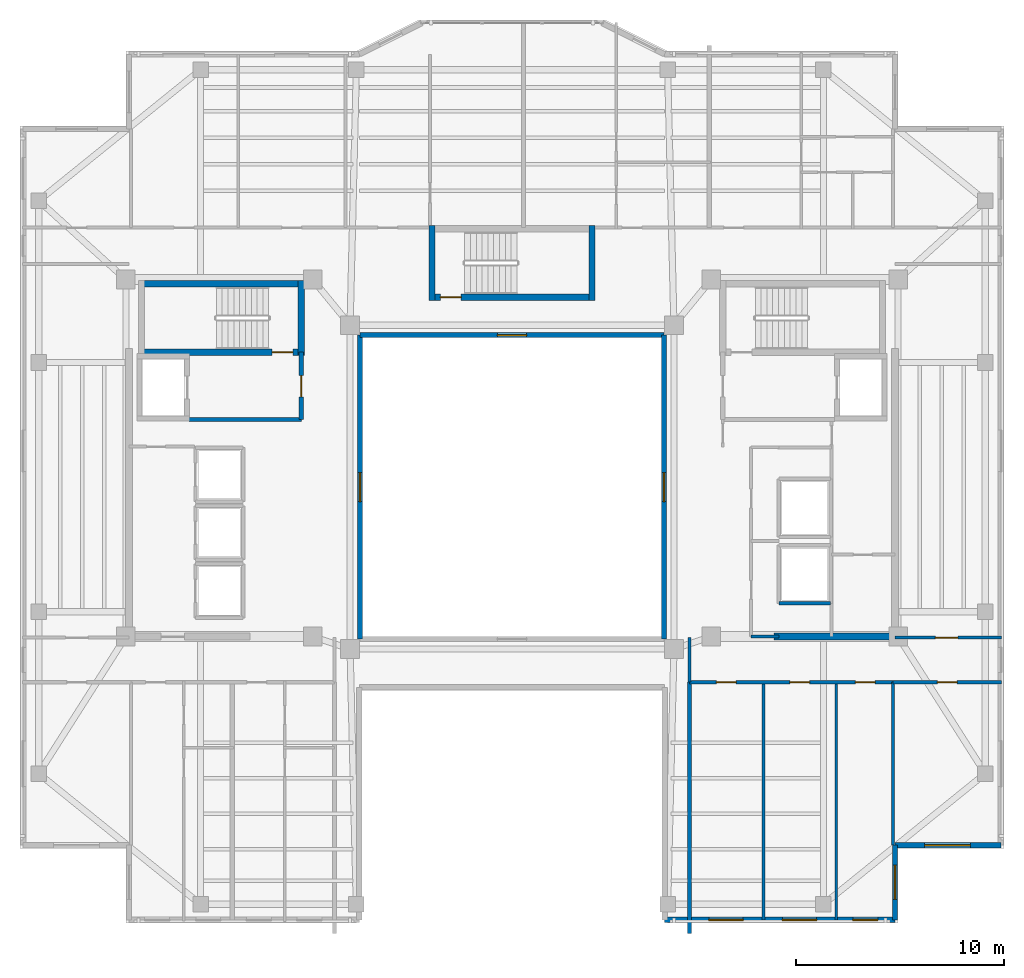
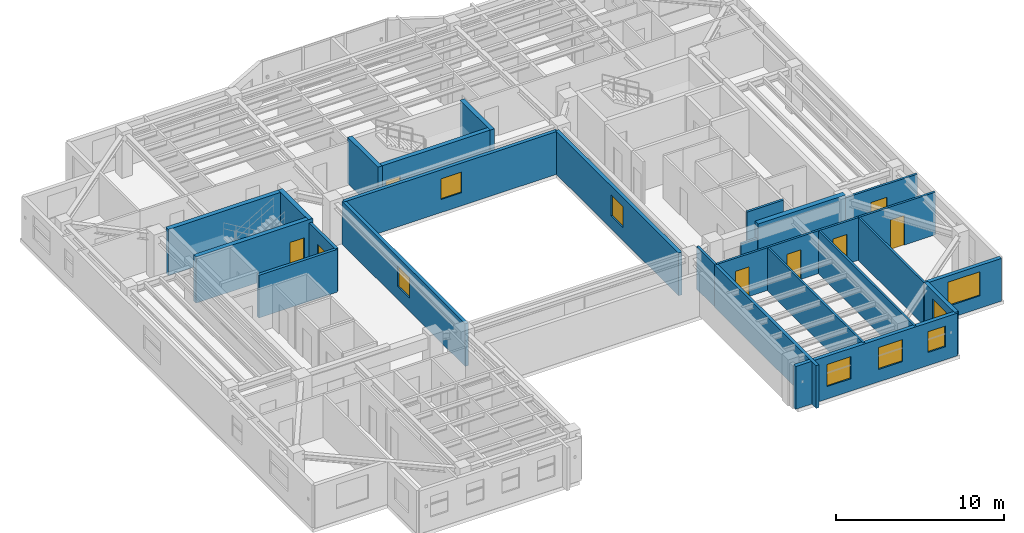
# One storey, part 5 of 11: 25 walls, 8 doors, 8 windows, 16 openings.
"""IFC4 building model written with IfcOpenShell, lengths in metres."""

from ifc_helpers import new_model, si_unit, direction, frame, frame_2d, origin, place, context, subcontext, project, spatial, rectangle, extrude, material, layer, layer_set, type_object, element, fill, save


model = new_model("IFC4")

# Units and contexts
model_context = context("Model", 3, precision=1e-05, world=origin(), true_north=direction((0.0, 1.0)))
body_context = subcontext(model_context, "Body", "Model", "MODEL_VIEW")
ifc_project = project(units=[si_unit("LENGTHUNIT", "METRE"), si_unit("AREAUNIT", "SQUARE_METRE"), si_unit("VOLUMEUNIT", "CUBIC_METRE"), si_unit("PLANEANGLEUNIT", "RADIAN"), si_unit("MASSUNIT", "GRAM", prefix="KILO")], contexts=[model_context])

# Site, building, storey
site_placement = place(None, origin())
site = spatial("IfcSite", under=ifc_project, at=site_placement, CompositionType="ELEMENT")
building_placement = place(site_placement, origin())
building = spatial("IfcBuilding", under=site, at=building_placement, Name="Tarnavaz Court Tower", CompositionType="ELEMENT")
storey_placement = place(building_placement, frame((0.0, 0.0, 217.050048828125)))
storey = spatial("IfcBuildingStorey", under=building, at=storey_placement, Name="L59", CompositionType="ELEMENT", Elevation=217.050048828125)

# Wall
ifc_material_1 = material(Name="Concrete C50/60", Category="concrete")
ifc_layer_1 = layer(ifc_material_1, 0.300048828125)
ifc_layer_set_1 = layer_set([ifc_layer_1], Name="Concrete C50/60")
wall_type_1 = type_object("IfcWallType", Name="WL-CORE-300-C50", PredefinedType="SHEAR", material=ifc_layer_set_1)
wall_1_placement = place(storey_placement, frame((-18.0, 9.7900390625, 0.0), z_axis=(0.0, 0.0, 1.0), x_axis=(1.0, 0.0, 0.0)))
element("IfcWall", 1, at=wall_1_placement, inside=storey, type_object=wall_type_1, Name="L59 West Stair Core Wall 001", PredefinedType="SHEAR", context=body_context, shape_type="SweptSolid", body=[
    extrude(rectangle(XDim=8.0, YDim=0.300048828125, at=frame_2d((4.0, 0.0))), origin(), (0.0, 0.0, 1.0), 3.349853515625),
])

# Wall, opening, door
wall_2_placement = place(storey_placement, frame((-18.0, 6.5, 0.0), z_axis=(0.0, 0.0, 1.0), x_axis=(1.0, 0.0, 0.0)))
wall_2 = element("IfcWall", 2, at=wall_2_placement, inside=storey, type_object=wall_type_1, Name="L59 West Stair Core Wall 002", PredefinedType="SHEAR", context=body_context, shape_type="SweptSolid", body=[
    extrude(rectangle(XDim=8.0, YDim=0.300048828125, at=frame_2d((4.0, 0.0))), origin(), (0.0, 0.0, 1.0), 3.349853515625),
])
opening_1_placement = place(wall_2_placement, frame((6.449951171875, 0.0, 0.0)))
opening_1 = element("IfcOpeningElement", 3, at=opening_1_placement, cuts=wall_2, Name="Opening D01", PredefinedType="OPENING", context=body_context, shape_type="SweptSolid", body=[
    extrude(rectangle(XDim=1.0, YDim=2.14990234375, at=frame_2d((0.5, 1.074951171875))), frame((0.0, 0.159912109375, 0.0), z_axis=(0.0, -1.0, 0.0), x_axis=(1.0, 0.0, 0.0)), (0.0, 0.0, 1.0), 0.320068359375),
])
ifc_material_2 = material(Name="Fire-Rated Hardwood Timber Core", Category="wood")
door_type_1 = type_object("IfcDoorType", Name="DR-FD90-1000", OperationType="NOTDEFINED", PredefinedType="DOOR", material=ifc_material_2)
door_1_placement = place(opening_1_placement, origin())
door_1 = element("IfcDoor", 4, at=door_1_placement, inside=storey, type_object=door_type_1, Name="L59 Stair ST-W1 Exit Door", OperationType="SINGLE_SWING_LEFT", OverallHeight=2.14990234375, OverallWidth=1.0, PredefinedType="DOOR", context=body_context, shape_type="SweptSolid", body=[
    extrude(rectangle(XDim=1.0, YDim=2.14990234375, at=frame_2d((0.5, 1.074951171875))), frame((0.0, 0.02490234375, 0.0), z_axis=(0.0, -1.0, 0.0), x_axis=(1.0, 0.0, 0.0)), (0.0, 0.0, 1.0), 0.050048828125),
])
fill(opening_1, door_1)

# Wall
wall_3_placement = place(storey_placement, frame((-10.14990234375, 6.35009765625, 0.0), z_axis=(0.0, 0.0, 1.0), x_axis=(0.0, 1.0, 0.0)))
element("IfcWall", 5, at=wall_3_placement, inside=storey, type_object=wall_type_1, Name="L59 West Stair Core Wall 004", PredefinedType="SHEAR", context=body_context, shape_type="SweptSolid", body=[
    extrude(rectangle(XDim=3.58984375, YDim=0.300048828125, at=frame_2d((1.794921875, 0.0))), origin(), (0.0, 0.0, 1.0), 3.349853515625),
])

# Wall, opening, door
wall_4_placement = place(storey_placement, frame((-4.0, 9.14990234375, 0.0), z_axis=(0.0, 0.0, 1.0), x_axis=(1.0, 0.0, 0.0)))
wall_4 = element("IfcWall", 6, at=wall_4_placement, inside=storey, type_object=wall_type_1, Name="L59 North Stair Core Wall 010", PredefinedType="SHEAR", context=body_context, shape_type="SweptSolid", body=[
    extrude(rectangle(XDim=8.0, YDim=0.300048828125, at=frame_2d((4.0, 0.0))), origin(), (0.0, 0.0, 1.0), 3.349853515625),
])
opening_2_placement = place(wall_4_placement, frame((0.550048828125, 0.0, 0.0)))
opening_2 = element("IfcOpeningElement", 7, at=opening_2_placement, cuts=wall_4, Name="Opening D01", PredefinedType="OPENING", context=body_context, shape_type="SweptSolid", body=[
    extrude(rectangle(XDim=1.0, YDim=2.14990234375, at=frame_2d((0.5, 1.074951171875))), frame((0.0, 0.159912109375, 0.0), z_axis=(0.0, -1.0, 0.0), x_axis=(1.0, 0.0, 0.0)), (0.0, 0.0, 1.0), 0.320068359375),
])
door_2_placement = place(opening_2_placement, origin())
door_2 = element("IfcDoor", 8, at=door_2_placement, inside=storey, type_object=door_type_1, Name="L59 Stair ST-N1 Exit Door", OperationType="SINGLE_SWING_LEFT", OverallHeight=2.14990234375, OverallWidth=1.0, PredefinedType="DOOR", context=body_context, shape_type="SweptSolid", body=[
    extrude(rectangle(XDim=1.0, YDim=2.14990234375, at=frame_2d((0.5, 1.074951171875))), frame((0.0, 0.02490234375, 0.0), z_axis=(0.0, -1.0, 0.0), x_axis=(1.0, 0.0, 0.0)), (0.0, 0.0, 1.0), 0.050048828125),
])
fill(opening_2, door_2)

# Walls
for number, where, z_axis, x_axis, name in (
    (9, (-3.85009765625, 9.0, 0.0), (0.0, 0.0, 1.0), (0.0, 1.0, 0.0), "L59 North Stair Core Wall 011"),
    (10, (3.85009765625, 9.0, 0.0), (0.0, 0.0, 1.0), (0.0, 1.0, 0.0), "L59 North Stair Core Wall 012"),
):
    element("IfcWall", number, at=place(storey_placement, frame(where, z_axis=z_axis, x_axis=x_axis)), inside=storey, type_object=wall_type_1, Name=name, PredefinedType="SHEAR", context=body_context, shape_type="SweptSolid", body=[
        extrude(rectangle(XDim=3.590087890625, YDim=0.300048828125, at=frame_2d((1.794921875, 0.0))), origin(), (0.0, 0.0, 1.0), 3.349853515625),
    ])
ifc_layer_2 = layer(ifc_material_1, 0.35009765625)
ifc_layer_set_2 = layer_set([ifc_layer_2], Name="Concrete C50/60")
wall_type_2 = type_object("IfcWallType", Name="WL-CORE-350-C50", PredefinedType="SHEAR", material=ifc_layer_set_2)
wall_5_placement = place(storey_placement, frame((12.625, -7.199951171875, 0.0), z_axis=(0.0, 0.0, 1.0), x_axis=(1.0, 0.0, 0.0)))
element("IfcWall", 11, at=wall_5_placement, inside=storey, type_object=wall_type_2, Name="L59 East Core South Shear Wall 048", PredefinedType="SHEAR", context=body_context, shape_type="SweptSolid", body=[
    extrude(rectangle(XDim=6.0, YDim=0.35009765625, at=frame_2d((3.0, 0.0))), origin(), (0.0, 0.0, 1.0), 3.349853515625),
])

# Wall, opening, window
ifc_material_3 = material(Name="Precast Concrete C40/50", Category="concrete")
ifc_layer_3 = layer(ifc_material_3, 0.260009765625)
ifc_layer_set_3 = layer_set([ifc_layer_3], Name="Precast Concrete C40/50")
wall_type_3 = type_object("IfcWallType", Name="WL-EXT-260", PredefinedType="SOLIDWALL", material=ifc_layer_set_3)
wall_6_placement = place(storey_placement, frame((23.550048828125, -17.25, 0.0), z_axis=(0.0, 0.0, 1.0), x_axis=(-1.0, 0.0, 0.0)))
wall_6 = element("IfcWall", 12, at=wall_6_placement, inside=storey, type_object=wall_type_3, Name="L59 Exterior Terracotta Facade Wall 13", PredefinedType="SOLIDWALL", context=body_context, shape_type="SweptSolid", body=[
    extrude(rectangle(XDim=5.10009765625, YDim=0.260009765625, at=frame_2d((2.550048828125, 0.0))), origin(), (0.0, 0.0, 1.0), 3.099853515625),
])
opening_3_placement = place(wall_6_placement, frame((1.47509765625, 0.0, 0.89990234375)))
opening_3 = element("IfcOpeningElement", 13, at=opening_3_placement, cuts=wall_6, Name="Opening W07", PredefinedType="OPENING", context=body_context, shape_type="SweptSolid", body=[
    extrude(rectangle(XDim=2.199951171875, YDim=1.75, at=frame_2d((1.10009765625, 0.875))), frame((0.0, 0.139892578125, 0.0), z_axis=(0.0, -1.0, 0.0), x_axis=(1.0, 0.0, 0.0)), (0.0, 0.0, 1.0), 0.280029296875),
])
ifc_material_4 = material(Name="Double-Glazed Solar Low-E Glass", Category="glass")
window_type_1 = type_object("IfcWindowType", Name="WN-APT-2200", PartitioningType="TRIPLE_PANEL_VERTICAL", PredefinedType="WINDOW", material=ifc_material_4)
window_1_placement = place(opening_3_placement, origin())
window_1 = element("IfcWindow", 14, at=window_1_placement, inside=storey, type_object=window_type_1, Name="L59 South-East Corner Reading Room Window", OverallHeight=1.75, OverallWidth=2.199951171875, PartitioningType="SINGLE_PANEL", PredefinedType="WINDOW", context=body_context, shape_type="SweptSolid", body=[
    extrude(rectangle(XDim=2.199951171875, YDim=1.75, at=frame_2d((1.10009765625, 0.875))), frame((0.0, 0.030029296875, 0.0), z_axis=(0.0, -1.0, 0.0), x_axis=(1.0, 0.0, 0.0)), (0.0, 0.0, 1.0), 0.06005859375),
])
fill(opening_3, window_1)

wall_7_placement = place(storey_placement, frame((18.449951171875, -17.25, 0.0), z_axis=(0.0, 0.0, 1.0), x_axis=(0.0, -1.0, 0.0)))
wall_7 = element("IfcWall", 15, at=wall_7_placement, inside=storey, type_object=wall_type_3, Name="L59 Exterior Terracotta Facade Wall 14", PredefinedType="SOLIDWALL", context=body_context, shape_type="SweptSolid", body=[
    extrude(rectangle(XDim=3.60009765625, YDim=0.260009765625, at=frame_2d((1.800048828125, 0.0))), origin(), (0.0, 0.0, 1.0), 3.099853515625),
])
opening_4_placement = place(wall_7_placement, frame((0.95751953125, 0.0, 0.89990234375)))
opening_4 = element("IfcOpeningElement", 16, at=opening_4_placement, cuts=wall_7, Name="Opening W02", PredefinedType="OPENING", context=body_context, shape_type="SweptSolid", body=[
    extrude(rectangle(XDim=1.64990234375, YDim=1.60009765625, at=frame_2d((0.824951171875, 0.800048828125))), frame((0.0, 0.139892578125, 0.0), z_axis=(0.0, -1.0, 0.0), x_axis=(1.0, 0.0, 0.0)), (0.0, 0.0, 1.0), 0.280029296875),
])
window_type_2 = type_object("IfcWindowType", Name="WN-APT-1650", PartitioningType="DOUBLE_PANEL_VERTICAL", PredefinedType="WINDOW", material=ifc_material_4)
window_2_placement = place(opening_4_placement, origin())
window_2 = element("IfcWindow", 17, at=window_2_placement, inside=storey, type_object=window_type_2, Name="L59 Shared Community Tea Pantry Window", OverallHeight=1.60009765625, OverallWidth=1.64990234375, PartitioningType="SINGLE_PANEL", PredefinedType="WINDOW", context=body_context, shape_type="SweptSolid", body=[
    extrude(rectangle(XDim=1.64990234375, YDim=1.60009765625, at=frame_2d((0.824951171875, 0.800048828125))), frame((0.0, 0.030029296875, 0.0), z_axis=(0.0, -1.0, 0.0), x_axis=(1.0, 0.0, 0.0)), (0.0, 0.0, 1.0), 0.06005859375),
])
fill(opening_4, window_2)

# Wall, openings, windows
wall_8_placement = place(storey_placement, frame((18.449951171875, -20.85009765625, 0.0), z_axis=(0.0, 0.0, 1.0), x_axis=(-1.0, 0.0, 0.0)))
wall_8 = element("IfcWall", 18, at=wall_8_placement, inside=storey, type_object=wall_type_3, Name="L59 Exterior Terracotta Facade Wall 15", PredefinedType="SOLIDWALL", context=body_context, shape_type="SweptSolid", body=[
    extrude(rectangle(XDim=11.099853515625, YDim=0.260009765625, at=frame_2d((5.5498046875, 0.0))), origin(), (0.0, 0.0, 1.0), 3.099853515625),
])
opening_5_placement = place(wall_8_placement, frame((0.831298828125, 0.0, 0.949951171875)))
opening_5 = element("IfcOpeningElement", 19, at=opening_5_placement, cuts=wall_8, Name="Opening W05", PredefinedType="OPENING", context=body_context, shape_type="SweptSolid", body=[
    extrude(rectangle(XDim=1.199951171875, YDim=1.5, at=frame_2d((0.60009765625, 0.75))), frame((0.0, 0.139892578125, 0.0), z_axis=(0.0, -1.0, 0.0), x_axis=(1.0, 0.0, 0.0)), (0.0, 0.0, 1.0), 0.280029296875),
])
opening_6_placement = place(wall_8_placement, frame((3.770751953125, 0.0, 0.89990234375)))
opening_6 = element("IfcOpeningElement", 20, at=opening_6_placement, cuts=wall_8, Name="Opening W02", PredefinedType="OPENING", context=body_context, shape_type="SweptSolid", body=[
    extrude(rectangle(XDim=1.64990234375, YDim=1.60009765625, at=frame_2d((0.824951171875, 0.800048828125))), frame((0.0, 0.139892578125, 0.0), z_axis=(0.0, -1.0, 0.0), x_axis=(1.0, 0.0, 0.0)), (0.0, 0.0, 1.0), 0.280029296875),
])
opening_7_placement = place(wall_8_placement, frame((7.311767578125, 0.0, 0.89990234375)))
opening_7 = element("IfcOpeningElement", 21, at=opening_7_placement, cuts=wall_8, Name="Opening W02", PredefinedType="OPENING", context=body_context, shape_type="SweptSolid", body=[
    extrude(rectangle(XDim=1.64990234375, YDim=1.60009765625, at=frame_2d((0.824951171875, 0.800048828125))), frame((0.0, 0.139892578125, 0.0), z_axis=(0.0, -1.0, 0.0), x_axis=(1.0, 0.0, 0.0)), (0.0, 0.0, 1.0), 0.280029296875),
])
window_type_3 = type_object("IfcWindowType", Name="WN-APT-1200", PartitioningType="SINGLE_PANEL", PredefinedType="WINDOW", material=ifc_material_4)
window_3_placement = place(opening_5_placement, origin())
window_3 = element("IfcWindow", 22, at=window_3_placement, inside=storey, type_object=window_type_3, Name="L59 Shared Community Tea Pantry Window", OverallHeight=1.5, OverallWidth=1.199951171875, PartitioningType="SINGLE_PANEL", PredefinedType="WINDOW", context=body_context, shape_type="SweptSolid", body=[
    extrude(rectangle(XDim=1.199951171875, YDim=1.5, at=frame_2d((0.60009765625, 0.75))), frame((0.0, 0.030029296875, 0.0), z_axis=(0.0, -1.0, 0.0), x_axis=(1.0, 0.0, 0.0)), (0.0, 0.0, 1.0), 0.06005859375),
])
fill(opening_5, window_3)
window_4_placement = place(opening_6_placement, origin())
window_4 = element("IfcWindow", 23, at=window_4_placement, inside=storey, type_object=window_type_2, Name="L59 Children Playroom and Daycare Window", OverallHeight=1.60009765625, OverallWidth=1.64990234375, PartitioningType="SINGLE_PANEL", PredefinedType="WINDOW", context=body_context, shape_type="SweptSolid", body=[
    extrude(rectangle(XDim=1.64990234375, YDim=1.60009765625, at=frame_2d((0.824951171875, 0.800048828125))), frame((0.0, 0.030029296875, 0.0), z_axis=(0.0, -1.0, 0.0), x_axis=(1.0, 0.0, 0.0)), (0.0, 0.0, 1.0), 0.06005859375),
])
fill(opening_6, window_4)
window_5_placement = place(opening_7_placement, origin())
window_5 = element("IfcWindow", 24, at=window_5_placement, inside=storey, type_object=window_type_2, Name="L59 Resident Fitness and Yoga Studio Window", OverallHeight=1.60009765625, OverallWidth=1.64990234375, PartitioningType="SINGLE_PANEL", PredefinedType="WINDOW", context=body_context, shape_type="SweptSolid", body=[
    extrude(rectangle(XDim=1.64990234375, YDim=1.60009765625, at=frame_2d((0.824951171875, 0.800048828125))), frame((0.0, 0.030029296875, 0.0), z_axis=(0.0, -1.0, 0.0), x_axis=(1.0, 0.0, 0.0)), (0.0, 0.0, 1.0), 0.06005859375),
])
fill(opening_7, window_5)

# Wall, openings, doors
ifc_material_5 = material(Name="Gypsum Fire-Board on Acoustic Metal Stud", Category="masonry")
ifc_layer_4 = layer(ifc_material_5, 0.14990234375)
ifc_layer_set_4 = layer_set([ifc_layer_4], Name="Gypsum Fire-Board on Acoustic Metal Stud")
wall_type_4 = type_object("IfcWallType", Name="WL-FIRE-150", PredefinedType="PARTITIONING", material=ifc_layer_set_4)
wall_9_placement = place(storey_placement, frame((8.550048828125, -9.39990234375, 0.0), z_axis=(0.0, 0.0, 1.0), x_axis=(1.0, 0.0, 0.0)))
wall_9 = element("IfcWall", 25, at=wall_9_placement, inside=storey, type_object=wall_type_4, Name="L59 SE Lobby Wall 061", PredefinedType="PARTITIONING", context=body_context, shape_type="SweptSolid", body=[
    extrude(rectangle(XDim=9.800048828125, YDim=0.14990234375, at=frame_2d((4.89990234375, 0.0))), origin(), (0.0, 0.0, 1.0), 3.099853515625),
])
opening_8_placement = place(wall_9_placement, frame((1.300048828125, 0.0, 0.0)))
opening_8 = element("IfcOpeningElement", 26, at=opening_8_placement, cuts=wall_9, Name="Opening D13", PredefinedType="OPENING", context=body_context, shape_type="SweptSolid", body=[
    extrude(rectangle(XDim=0.949951171875, YDim=2.14990234375, at=frame_2d((0.47509765625, 1.074951171875))), frame((0.0, 0.0849609375, 0.0), z_axis=(0.0, -1.0, 0.0), x_axis=(1.0, 0.0, 0.0)), (0.0, 0.0, 1.0), 0.169921875),
])
opening_9_placement = place(wall_9_placement, frame((4.840087890625, 0.0, 0.0)))
opening_9 = element("IfcOpeningElement", 27, at=opening_9_placement, cuts=wall_9, Name="Opening D13", PredefinedType="OPENING", context=body_context, shape_type="SweptSolid", body=[
    extrude(rectangle(XDim=0.949951171875, YDim=2.14990234375, at=frame_2d((0.47509765625, 1.074951171875))), frame((0.0, 0.0849609375, 0.0), z_axis=(0.0, -1.0, 0.0), x_axis=(1.0, 0.0, 0.0)), (0.0, 0.0, 1.0), 0.169921875),
])
opening_10_placement = place(wall_9_placement, frame((7.989990234375, 0.0, 0.0)))
opening_10 = element("IfcOpeningElement", 28, at=opening_10_placement, cuts=wall_9, Name="Opening D13", PredefinedType="OPENING", context=body_context, shape_type="SweptSolid", body=[
    extrude(rectangle(XDim=0.949951171875, YDim=2.14990234375, at=frame_2d((0.47509765625, 1.074951171875))), frame((0.0, 0.0849609375, 0.0), z_axis=(0.0, -1.0, 0.0), x_axis=(1.0, 0.0, 0.0)), (0.0, 0.0, 1.0), 0.169921875),
])
ifc_material_6 = material(Name="Engineered Oak Timber", Category="wood")
door_type_2 = type_object("IfcDoorType", Name="DR-INT-950", OperationType="NOTDEFINED", PredefinedType="DOOR", material=ifc_material_6)
door_3_placement = place(opening_8_placement, origin())
door_3 = element("IfcDoor", 29, at=door_3_placement, inside=storey, type_object=door_type_2, Name="L59 Resident Fitness and Yoga Studio Door", OperationType="SINGLE_SWING_RIGHT", OverallHeight=2.14990234375, OverallWidth=0.949951171875, PredefinedType="DOOR", context=body_context, shape_type="SweptSolid", body=[
    extrude(rectangle(XDim=0.949951171875, YDim=2.14990234375, at=frame_2d((0.47509765625, 1.074951171875))), frame((0.0, 0.02490234375, 0.0), z_axis=(0.0, -1.0, 0.0), x_axis=(1.0, 0.0, 0.0)), (0.0, 0.0, 1.0), 0.050048828125),
])
fill(opening_8, door_3)
door_4_placement = place(opening_9_placement, origin())
door_4 = element("IfcDoor", 30, at=door_4_placement, inside=storey, type_object=door_type_2, Name="L59 Children Playroom and Daycare Door", OperationType="SINGLE_SWING_LEFT", OverallHeight=2.14990234375, OverallWidth=0.949951171875, PredefinedType="DOOR", context=body_context, shape_type="SweptSolid", body=[
    extrude(rectangle(XDim=0.949951171875, YDim=2.14990234375, at=frame_2d((0.47509765625, 1.074951171875))), frame((0.0, 0.02490234375, 0.0), z_axis=(0.0, -1.0, 0.0), x_axis=(1.0, 0.0, 0.0)), (0.0, 0.0, 1.0), 0.050048828125),
])
fill(opening_9, door_4)
door_5_placement = place(opening_10_placement, origin())
door_5 = element("IfcDoor", 31, at=door_5_placement, inside=storey, type_object=door_type_2, Name="L59 Shared Community Tea Pantry Door", OperationType="SINGLE_SWING_RIGHT", OverallHeight=2.14990234375, OverallWidth=0.949951171875, PredefinedType="DOOR", context=body_context, shape_type="SweptSolid", body=[
    extrude(rectangle(XDim=0.949951171875, YDim=2.14990234375, at=frame_2d((0.47509765625, 1.074951171875))), frame((0.0, 0.02490234375, 0.0), z_axis=(0.0, -1.0, 0.0), x_axis=(1.0, 0.0, 0.0)), (0.0, 0.0, 1.0), 0.050048828125),
])
fill(opening_10, door_5)

# Wall
wall_10_placement = place(storey_placement, frame((8.550048828125, -9.39990234375, 0.0), z_axis=(0.0, 0.0, 1.0), x_axis=(0.0, 1.0, 0.0)))
element("IfcWall", 32, at=wall_10_placement, inside=storey, type_object=wall_type_4, Name="L59 East Spine End Wall 063", PredefinedType="PARTITIONING", context=body_context, shape_type="SweptSolid", body=[
    extrude(rectangle(XDim=2.14990234375, YDim=0.14990234375, at=frame_2d((1.074951171875, 0.0))), origin(), (0.0, 0.0, 1.0), 3.099853515625),
])

# Wall, opening, door
wall_11_placement = place(storey_placement, frame((18.449951171875, -7.25, 0.0), z_axis=(0.0, 0.0, 1.0), x_axis=(1.0, 0.0, 0.0)))
wall_11 = element("IfcWall", 33, at=wall_11_placement, inside=storey, type_object=wall_type_4, Name="L59 Interior Partition 090", PredefinedType="PARTITIONING", context=body_context, shape_type="SweptSolid", body=[
    extrude(rectangle(XDim=5.130126953125, YDim=0.14990234375, at=frame_2d((2.56494140625, 0.0))), origin(), (0.0, 0.0, 1.0), 3.099853515625),
])
opening_11_placement = place(wall_11_placement, frame((1.949951171875, 0.0, 0.0)))
opening_11 = element("IfcOpeningElement", 34, at=opening_11_placement, cuts=wall_11, Name="Opening D12", PredefinedType="OPENING", context=body_context, shape_type="SweptSolid", body=[
    extrude(rectangle(XDim=1.080078125, YDim=2.14990234375, at=frame_2d((0.5400390625, 1.074951171875))), frame((0.0, 0.0849609375, 0.0), z_axis=(0.0, -1.0, 0.0), x_axis=(1.0, 0.0, 0.0)), (0.0, 0.0, 1.0), 0.169921875),
])
door_type_3 = type_object("IfcDoorType", Name="DR-INT-1100", OperationType="NOTDEFINED", PredefinedType="DOOR", material=ifc_material_6)
door_6_placement = place(opening_11_placement, origin())
door_6 = element("IfcDoor", 35, at=door_6_placement, inside=storey, type_object=door_type_3, Name="L59 East Daycare Playroom Door", OperationType="SINGLE_SWING_RIGHT", OverallHeight=2.14990234375, OverallWidth=1.080078125, PredefinedType="DOOR", context=body_context, shape_type="SweptSolid", body=[
    extrude(rectangle(XDim=1.080078125, YDim=2.14990234375, at=frame_2d((0.5400390625, 1.074951171875))), frame((0.0, 0.02490234375, 0.0), z_axis=(0.0, -1.0, 0.0), x_axis=(1.0, 0.0, 0.0)), (0.0, 0.0, 1.0), 0.050048828125),
])
fill(opening_11, door_6)

wall_12_placement = place(storey_placement, frame((18.35009765625, -9.39990234375, 0.0), z_axis=(0.0, 0.0, 1.0), x_axis=(1.0, 0.0, 0.0)))
wall_12 = element("IfcWall", 36, at=wall_12_placement, inside=storey, type_object=wall_type_4, Name="L59 Interior Partition 099", PredefinedType="PARTITIONING", context=body_context, shape_type="SweptSolid", body=[
    extrude(rectangle(XDim=5.22998046875, YDim=0.14990234375, at=frame_2d((2.614990234375, 0.0))), origin(), (0.0, 0.0, 1.0), 3.099853515625),
])
opening_12_placement = place(wall_12_placement, frame((2.139892578125, 0.0, 0.0)))
opening_12 = element("IfcOpeningElement", 37, at=opening_12_placement, cuts=wall_12, Name="Opening D13", PredefinedType="OPENING", context=body_context, shape_type="SweptSolid", body=[
    extrude(rectangle(XDim=0.949951171875, YDim=2.14990234375, at=frame_2d((0.47509765625, 1.074951171875))), frame((0.0, 0.0849609375, 0.0), z_axis=(0.0, -1.0, 0.0), x_axis=(1.0, 0.0, 0.0)), (0.0, 0.0, 1.0), 0.169921875),
])
door_7_placement = place(opening_12_placement, origin())
door_7 = element("IfcDoor", 38, at=door_7_placement, inside=storey, type_object=door_type_2, Name="L59 SE Reading Room Door", OperationType="SINGLE_SWING_RIGHT", OverallHeight=2.14990234375, OverallWidth=0.949951171875, PredefinedType="DOOR", context=body_context, shape_type="SweptSolid", body=[
    extrude(rectangle(XDim=0.949951171875, YDim=2.14990234375, at=frame_2d((0.47509765625, 1.074951171875))), frame((0.0, 0.02490234375, 0.0), z_axis=(0.0, -1.0, 0.0), x_axis=(1.0, 0.0, 0.0)), (0.0, 0.0, 1.0), 0.050048828125),
])
fill(opening_12, door_7)

# Wall
ifc_material_7 = material(Name="Autoclaved Aerated Concrete Blockwork", Category="masonry")
ifc_layer_5 = layer(ifc_material_7, 0.199951171875)
ifc_layer_set_5 = layer_set([ifc_layer_5], Name="Autoclaved Aerated Concrete Blockwork")
wall_type_5 = type_object("IfcWallType", Name="WL-FIRE-200", PredefinedType="SOLIDWALL", material=ifc_layer_set_5)
wall_13_placement = place(storey_placement, frame((-15.550048828125, 3.25, 0.0), z_axis=(0.0, 0.0, 1.0), x_axis=(1.0, 0.0, 0.0)))
element("IfcWall", 39, at=wall_13_placement, inside=storey, type_object=wall_type_5, Name="L59 West Firefighting Lobby Wall 013", PredefinedType="SOLIDWALL", context=body_context, shape_type="SweptSolid", body=[
    extrude(rectangle(XDim=5.400146484375, YDim=0.199951171875, at=frame_2d((2.7001953125, 0.0))), origin(), (0.0, 0.0, 1.0), 3.099853515625),
])

# Wall, opening, door
wall_14_placement = place(storey_placement, frame((-10.14990234375, 3.25, 0.0), z_axis=(0.0, 0.0, 1.0), x_axis=(0.0, 1.0, 0.0)))
wall_14 = element("IfcWall", 40, at=wall_14_placement, inside=storey, type_object=wall_type_5, Name="L59 West Firefighting Lobby Wall 014", PredefinedType="SOLIDWALL", context=body_context, shape_type="SweptSolid", body=[
    extrude(rectangle(XDim=3.25, YDim=0.199951171875, at=frame_2d((1.625, 0.0))), origin(), (0.0, 0.0, 1.0), 3.099853515625),
])
opening_13_placement = place(wall_14_placement, frame((1.10009765625, 0.0, 0.0)))
opening_13 = element("IfcOpeningElement", 41, at=opening_13_placement, cuts=wall_14, Name="Opening D05", PredefinedType="OPENING", context=body_context, shape_type="SweptSolid", body=[
    extrude(rectangle(XDim=1.02001953125, YDim=2.14990234375, at=frame_2d((0.510009765625, 1.074951171875))), frame((0.0, 0.10986328125, 0.0), z_axis=(0.0, -1.0, 0.0), x_axis=(1.0, 0.0, 0.0)), (0.0, 0.0, 1.0), 0.219970703125),
])
door_type_4 = type_object("IfcDoorType", Name="DR-FD60-1000", OperationType="NOTDEFINED", PredefinedType="DOOR", material=ifc_material_2)
door_8_placement = place(opening_13_placement, origin())
door_8 = element("IfcDoor", 42, at=door_8_placement, inside=storey, type_object=door_type_4, Name="L59 West Firefighting Lobby Door", OperationType="SINGLE_SWING_RIGHT", OverallHeight=2.14990234375, OverallWidth=1.02001953125, PredefinedType="DOOR", context=body_context, shape_type="SweptSolid", body=[
    extrude(rectangle(XDim=1.02001953125, YDim=2.14990234375, at=frame_2d((0.510009765625, 1.074951171875))), frame((0.0, 0.02490234375, 0.0), z_axis=(0.0, -1.0, 0.0), x_axis=(1.0, 0.0, 0.0)), (0.0, 0.0, 1.0), 0.050048828125),
])
fill(opening_13, door_8)

# Walls
wall_15_placement = place(storey_placement, frame((8.550048828125, -21.50390625, 0.0), z_axis=(0.0, 0.0, 1.0), x_axis=(0.0, 1.0, 0.0)))
element("IfcWall", 43, at=wall_15_placement, inside=storey, type_object=wall_type_5, Name="L59 Party Wall 087", PredefinedType="SOLIDWALL", context=body_context, shape_type="SweptSolid", body=[
    extrude(rectangle(XDim=12.10400390625, YDim=0.199951171875, at=frame_2d((6.052001953125, 0.0))), origin(), (0.0, 0.0, 1.0), 3.099853515625),
])
ifc_material_8 = material(Name="Gypsum Plasterboard Acoustic Partition", Category="masonry")
ifc_layer_6 = layer(ifc_material_8, 0.139892578125)
ifc_layer_set_6 = layer_set([ifc_layer_6], Name="Gypsum Plasterboard Acoustic Partition")
wall_type_6 = type_object("IfcWallType", Name="WL-PART-150", PredefinedType="PARTITIONING", material=ifc_layer_set_6)
wall_16_placement = place(storey_placement, frame((11.52001953125, -7.199951171875, 0.0), z_axis=(0.0, 0.0, 1.0), x_axis=(1.0, 0.0, 0.0)))
element("IfcWall", 44, at=wall_16_placement, inside=storey, type_object=wall_type_6, Name="L59 Interior Partition 056", PredefinedType="PARTITIONING", context=body_context, shape_type="SweptSolid", body=[
    extrude(rectangle(XDim=1.330078125, YDim=0.139892578125, at=frame_2d((0.6650390625, 0.0))), origin(), (0.0, 0.0, 1.0), 2.23486328125),
])
for number, where, z_axis, x_axis, name in (
    (45, (12.110107421875, -20.85009765625, 0.0), (0.0, 0.0, 1.0), (0.0, 1.0, 0.0), "L59 Interior Partition 084"),
    (46, (15.6201171875, -20.85009765625, 0.0), (0.0, 0.0, 1.0), (0.0, 1.0, 0.0), "L59 Interior Partition 085"),
):
    element("IfcWall", number, at=place(storey_placement, frame(where, z_axis=z_axis, x_axis=x_axis)), inside=storey, type_object=wall_type_6, Name=name, PredefinedType="PARTITIONING", context=body_context, shape_type="SweptSolid", body=[
        extrude(rectangle(XDim=11.4501953125, YDim=0.139892578125, at=frame_2d((5.72509765625, 0.0))), origin(), (0.0, 0.0, 1.0), 3.099853515625),
    ])
wall_17_placement = place(storey_placement, frame((18.35009765625, -17.25, 0.0), z_axis=(0.0, 0.0, 1.0), x_axis=(0.0, 1.0, 0.0)))
element("IfcWall", 47, at=wall_17_placement, inside=storey, type_object=wall_type_6, Name="L59 Interior Partition 093", PredefinedType="PARTITIONING", context=body_context, shape_type="SweptSolid", body=[
    extrude(rectangle(XDim=7.85009765625, YDim=0.139892578125, at=frame_2d((3.925048828125, 0.0))), origin(), (0.0, 0.0, 1.0), 3.099853515625),
])
ifc_layer_7 = layer(ifc_material_7, 0.159912109375)
ifc_layer_set_7 = layer_set([ifc_layer_7], Name="Autoclaved Aerated Concrete Blockwork")
wall_type_7 = type_object("IfcWallType", Name="WL-SHAFT-150", PredefinedType="SOLIDWALL", material=ifc_layer_set_7)
wall_18_placement = place(storey_placement, frame((12.85009765625, -5.60009765625, 0.0), z_axis=(0.0, 0.0, 1.0), x_axis=(1.0, 0.0, 0.0)))
element("IfcWall", 48, at=wall_18_placement, inside=storey, type_object=wall_type_7, Name="L59 Lift PL-OB1 Shaft Wall 039", PredefinedType="SOLIDWALL", context=body_context, shape_type="SweptSolid", body=[
    extrude(rectangle(XDim=2.5, YDim=0.159912109375, at=frame_2d((1.25, 0.0))), origin(), (0.0, 0.0, 1.0), 3.099853515625),
])

# Wall, opening, window
ifc_layer_8 = layer(ifc_material_3, 0.239990234375)
ifc_layer_set_8 = layer_set([ifc_layer_8], Name="Precast Concrete C40/50")
wall_type_8 = type_object("IfcWallType", Name="WL-WELL-240", PredefinedType="SOLIDWALL", material=ifc_layer_set_8)
wall_19_placement = place(storey_placement, frame((7.320068359375, -7.320068359375, 0.0), z_axis=(0.0, 0.0, 1.0), x_axis=(0.0, 1.0, 0.0)))
wall_19 = element("IfcWall", 49, at=wall_19_placement, inside=storey, type_object=wall_type_8, Name="L59 Badgir Light-Well Exterior Wall E", PredefinedType="SOLIDWALL", context=body_context, shape_type="SweptSolid", body=[
    extrude(rectangle(XDim=14.64013671875, YDim=0.239990234375, at=frame_2d((7.320068359375, 0.0))), origin(), (0.0, 0.0, 1.0), 3.099853515625),
])
opening_14_placement = place(wall_19_placement, frame((6.6201171875, 0.0, 0.949951171875)))
opening_14 = element("IfcOpeningElement", 50, at=opening_14_placement, cuts=wall_19, Name="Opening W13", PredefinedType="OPENING", context=body_context, shape_type="SweptSolid", body=[
    extrude(rectangle(XDim=1.39990234375, YDim=1.5, at=frame_2d((0.699951171875, 0.75))), frame((0.0, 0.1298828125, 0.0), z_axis=(0.0, -1.0, 0.0), x_axis=(1.0, 0.0, 0.0)), (0.0, 0.0, 1.0), 0.260009765625),
])
window_type_4 = type_object("IfcWindowType", Name="WN-WEL-1400", PartitioningType="SINGLE_PANEL", PredefinedType="WINDOW", material=ifc_material_4)
window_6_placement = place(opening_14_placement, origin())
window_6 = element("IfcWindow", 51, at=window_6_placement, inside=storey, type_object=window_type_4, Name="L59 Courtyard Gallery Window E", OverallHeight=1.5, OverallWidth=1.39990234375, PartitioningType="SINGLE_PANEL", PredefinedType="WINDOW", context=body_context, shape_type="SweptSolid", body=[
    extrude(rectangle(XDim=1.39990234375, YDim=1.5, at=frame_2d((0.699951171875, 0.75))), frame((0.0, 0.030029296875, 0.0), z_axis=(0.0, -1.0, 0.0), x_axis=(1.0, 0.0, 0.0)), (0.0, 0.0, 1.0), 0.06005859375),
])
fill(opening_14, window_6)

wall_20_placement = place(storey_placement, frame((7.320068359375, 7.320068359375, 0.0), z_axis=(0.0, 0.0, 1.0), x_axis=(-1.0, 0.0, 0.0)))
wall_20 = element("IfcWall", 52, at=wall_20_placement, inside=storey, type_object=wall_type_8, Name="L59 Badgir Light-Well Exterior Wall N", PredefinedType="SOLIDWALL", context=body_context, shape_type="SweptSolid", body=[
    extrude(rectangle(XDim=14.64013671875, YDim=0.239990234375, at=frame_2d((7.320068359375, 0.0))), origin(), (0.0, 0.0, 1.0), 3.099853515625),
])
opening_15_placement = place(wall_20_placement, frame((6.6201171875, 0.0, 0.949951171875)))
opening_15 = element("IfcOpeningElement", 53, at=opening_15_placement, cuts=wall_20, Name="Opening W13", PredefinedType="OPENING", context=body_context, shape_type="SweptSolid", body=[
    extrude(rectangle(XDim=1.39990234375, YDim=1.5, at=frame_2d((0.699951171875, 0.75))), frame((0.0, 0.1298828125, 0.0), z_axis=(0.0, -1.0, 0.0), x_axis=(1.0, 0.0, 0.0)), (0.0, 0.0, 1.0), 0.260009765625),
])
window_7_placement = place(opening_15_placement, origin())
window_7 = element("IfcWindow", 54, at=window_7_placement, inside=storey, type_object=window_type_4, Name="L59 Courtyard Gallery Window N", OverallHeight=1.5, OverallWidth=1.39990234375, PartitioningType="SINGLE_PANEL", PredefinedType="WINDOW", context=body_context, shape_type="SweptSolid", body=[
    extrude(rectangle(XDim=1.39990234375, YDim=1.5, at=frame_2d((0.699951171875, 0.75))), frame((0.0, 0.030029296875, 0.0), z_axis=(0.0, -1.0, 0.0), x_axis=(1.0, 0.0, 0.0)), (0.0, 0.0, 1.0), 0.06005859375),
])
fill(opening_15, window_7)

wall_21_placement = place(storey_placement, frame((-7.320068359375, 7.320068359375, 0.0), z_axis=(0.0, 0.0, 1.0), x_axis=(0.0, -1.0, 0.0)))
wall_21 = element("IfcWall", 55, at=wall_21_placement, inside=storey, type_object=wall_type_8, Name="L59 Badgir Light-Well Exterior Wall W", PredefinedType="SOLIDWALL", context=body_context, shape_type="SweptSolid", body=[
    extrude(rectangle(XDim=14.64013671875, YDim=0.239990234375, at=frame_2d((7.320068359375, 0.0))), origin(), (0.0, 0.0, 1.0), 3.099853515625),
])
opening_16_placement = place(wall_21_placement, frame((6.6201171875, 0.0, 0.949951171875)))
opening_16 = element("IfcOpeningElement", 56, at=opening_16_placement, cuts=wall_21, Name="Opening W13", PredefinedType="OPENING", context=body_context, shape_type="SweptSolid", body=[
    extrude(rectangle(XDim=1.39990234375, YDim=1.5, at=frame_2d((0.699951171875, 0.75))), frame((0.0, 0.1298828125, 0.0), z_axis=(0.0, -1.0, 0.0), x_axis=(1.0, 0.0, 0.0)), (0.0, 0.0, 1.0), 0.260009765625),
])
window_8_placement = place(opening_16_placement, origin())
window_8 = element("IfcWindow", 57, at=window_8_placement, inside=storey, type_object=window_type_4, Name="L59 Courtyard Gallery Window W", OverallHeight=1.5, OverallWidth=1.39990234375, PartitioningType="SINGLE_PANEL", PredefinedType="WINDOW", context=body_context, shape_type="SweptSolid", body=[
    extrude(rectangle(XDim=1.39990234375, YDim=1.5, at=frame_2d((0.699951171875, 0.75))), frame((0.0, 0.030029296875, 0.0), z_axis=(0.0, -1.0, 0.0), x_axis=(1.0, 0.0, 0.0)), (0.0, 0.0, 1.0), 0.06005859375),
])
fill(opening_16, window_8)

save(model, "model.ifc")
